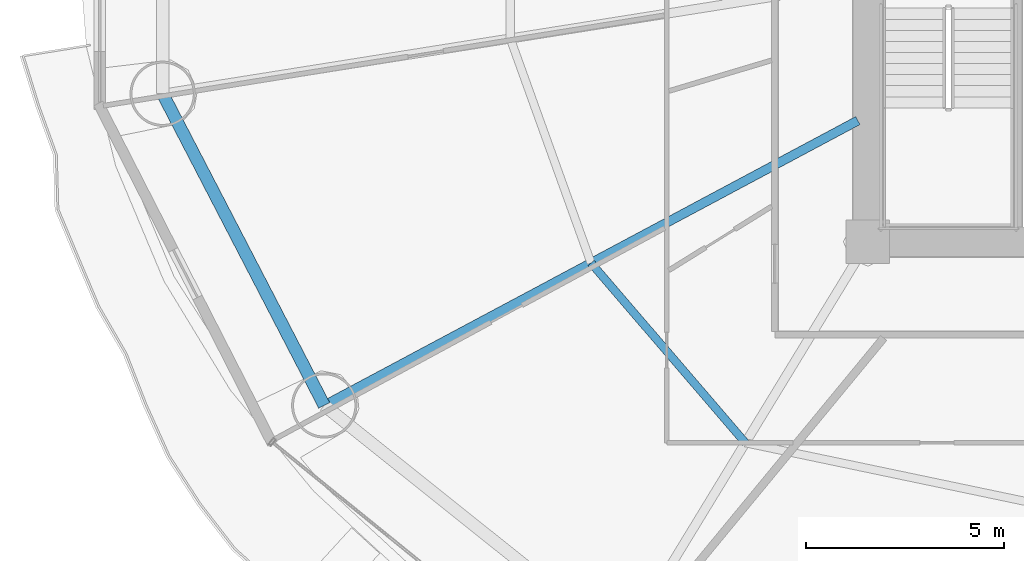
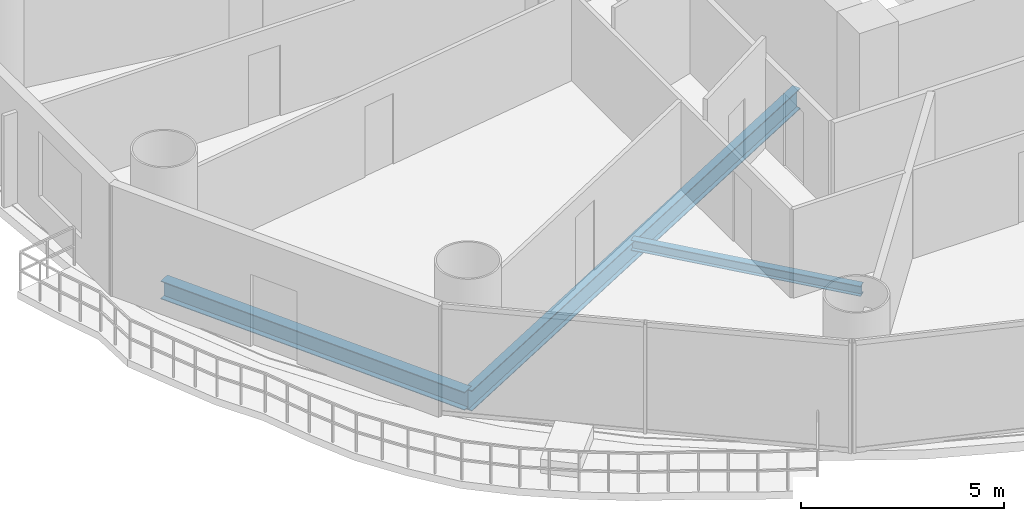
# One storey, part 3 of 28: 3 beams.
"""IFC4 building model written with IfcOpenShell, lengths in metres."""

from ifc_helpers import new_model, si_unit, direction, frame, origin, origin_2d, place, context, subcontext, project, spatial, i_section, extrude, material, material_profile, profile_set, type_object, element, save


model = new_model("IFC4")

# Units and contexts
model_context = context("Model", 3, precision=1e-05, world=origin(), true_north=direction((-0.2419218956, 0.970295726276)))
body_context = subcontext(model_context, "Body", "Model", "MODEL_VIEW")
ifc_project = project(units=[si_unit("LENGTHUNIT", "METRE"), si_unit("AREAUNIT", "SQUARE_METRE"), si_unit("VOLUMEUNIT", "CUBIC_METRE"), si_unit("PLANEANGLEUNIT", "RADIAN"), si_unit("MASSUNIT", "GRAM", prefix="KILO")], contexts=[model_context])

# Site, building, storey
site_placement = place(None, origin())
site = spatial("IfcSite", under=ifc_project, at=site_placement, CompositionType="ELEMENT")
building_placement = place(site_placement, origin())
building = spatial("IfcBuilding", under=site, at=building_placement, Name="Cobrevalo Terracotta Tower", CompositionType="ELEMENT")
storey_placement = place(building_placement, frame((0.0, 0.0, 34.800048828125)))
storey = spatial("IfcBuildingStorey", under=building, at=storey_placement, Name="L08", CompositionType="ELEMENT", Elevation=34.800048828125)

# Beams
ifc_material = material(Name="Steel S355", Category="steel")
ifc_material_profile_1 = material_profile(ifc_material, i_section(OverallWidth=0.22998046875, OverallDepth=0.616943359375, WebThickness=0.01318359375, FlangeThickness=0.022216796875, at=origin_2d()), Name="W 610x140")
ifc_profile_set_1 = profile_set([ifc_material_profile_1], Name="Steel S355")
beam_type_1 = type_object("IfcBeamType", Name="Structural Beam W 610x140 (Steel S355)", PredefinedType="BEAM", material=ifc_profile_set_1)
beam_1_placement = place(storey_placement, frame((15.25927734375, 14.660888671875, -0.588623046875), z_axis=(0.88218223571, 0.470908168329, 0.0), x_axis=(-0.470908168329, 0.88218223571, 0.0)))
element("IfcBeam", 1, at=beam_1_placement, inside=storey, type_object=beam_type_1, Name="L08 radial floor girder 10", PredefinedType="BEAM", context=body_context, shape_type="SweptSolid", body=[
    extrude(i_section(OverallWidth=0.22998046875, OverallDepth=0.616943359375, WebThickness=0.01318359375, FlangeThickness=0.022216796875, at=origin_2d()), origin(), (0.0, 0.0, 1.0), 15.286865234375),
])
ifc_material_profile_2 = material_profile(ifc_material, i_section(OverallWidth=0.2041015625, OverallDepth=0.305908203125, WebThickness=0.008544921875, FlangeThickness=0.0146484375, at=origin_2d()), Name="W 310x67")
ifc_profile_set_2 = profile_set([ifc_material_profile_2], Name="Steel S355")
beam_type_2 = type_object("IfcBeamType", Name="Structural Joist W 310x67 (Steel S355)", PredefinedType="JOIST", material=ifc_profile_set_2)
beam_2_placement = place(storey_placement, frame((22.002197265625, 18.26025390625, -0.43310546875), z_axis=(0.651328404454, -0.758795960421, 0.0), x_axis=(0.758795960421, 0.651328404454, 0.0)))
element("IfcBeam", 2, at=beam_2_placement, inside=storey, type_object=beam_type_2, Name="L08 circumferential secondary floor joist 10", PredefinedType="JOIST", context=body_context, shape_type="SweptSolid", body=[
    extrude(i_section(OverallWidth=0.2041015625, OverallDepth=0.305908203125, WebThickness=0.008544921875, FlangeThickness=0.0146484375, at=origin_2d()), origin(), (0.0, 0.0, 1.0), 5.98828125),
])
ifc_material_profile_3 = material_profile(ifc_material, i_section(OverallWidth=0.31201171875, OverallDepth=0.54296875, WebThickness=0.0126953125, FlangeThickness=0.020263671875, at=origin_2d()), Name="W 530x150")
ifc_profile_set_3 = profile_set([ifc_material_profile_3], Name="Steel S355")
beam_type_3 = type_object("IfcBeamType", Name="Structural Spandrel W 530x150 (Steel S355)", PredefinedType="SPANDREL", material=ifc_profile_set_3)
beam_3_placement = place(storey_placement, frame((11.175537109375, 22.537353515625, -0.551513671875), z_axis=(0.460285838799, -0.88777077368, 0.0), x_axis=(0.88777077368, 0.460285838799, 0.0)))
element("IfcBeam", 3, at=beam_3_placement, inside=storey, type_object=beam_type_3, Name="L08 perimeter ring spandrel 09", PredefinedType="SPANDREL", context=body_context, shape_type="SweptSolid", body=[
    extrude(i_section(OverallWidth=0.31201171875, OverallDepth=0.54296875, WebThickness=0.0126953125, FlangeThickness=0.020263671875, at=origin_2d()), origin(), (0.0, 0.0, 1.0), 8.8720703125),
])

save(model, "model.ifc")
